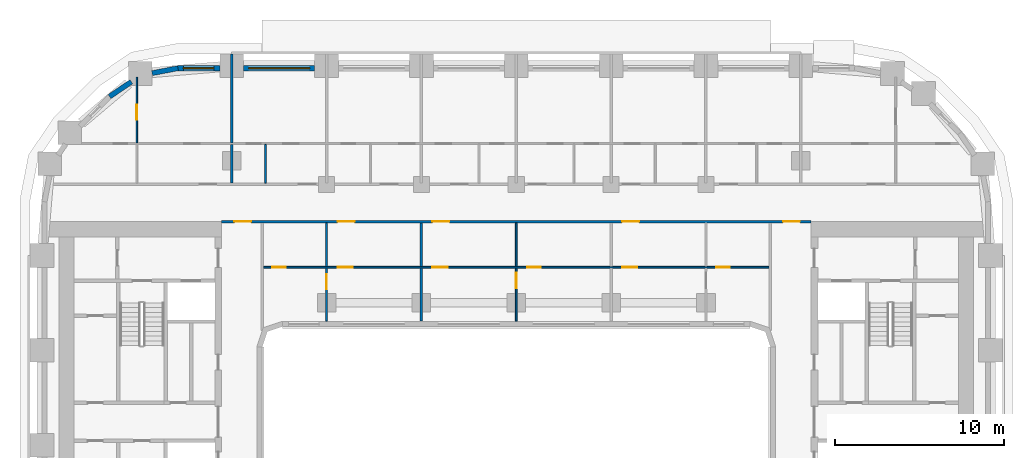
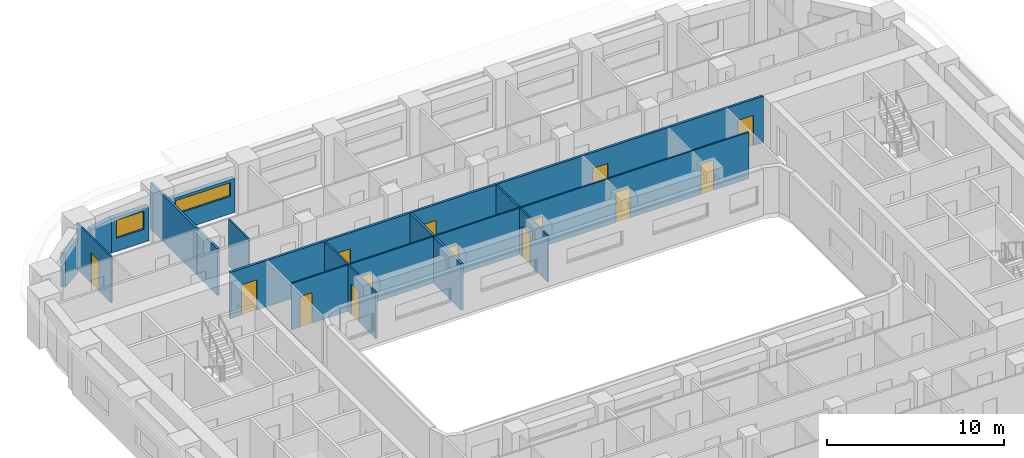
# One storey, part 8 of 22: 16 walls, 14 doors, 2 windows, 16 openings.
"""IFC4 building model written with IfcOpenShell, lengths in metres."""

from ifc_helpers import new_model, si_unit, direction, frame, frame_2d, origin, place, context, subcontext, project, spatial, rectangle, extrude, material, layer, layer_set, type_object, element, fill, save


model = new_model("IFC4")

# Units and contexts
model_context = context("Model", 3, precision=1e-05, world=origin(), true_north=direction((0.0, 1.0)))
body_context = subcontext(model_context, "Body", "Model", "MODEL_VIEW")
ifc_project = project(units=[si_unit("LENGTHUNIT", "METRE"), si_unit("AREAUNIT", "SQUARE_METRE"), si_unit("VOLUMEUNIT", "CUBIC_METRE"), si_unit("PLANEANGLEUNIT", "RADIAN"), si_unit("MASSUNIT", "GRAM", prefix="KILO")], contexts=[model_context])

# Site, building, storey
site_placement = place(None, origin())
site = spatial("IfcSite", under=ifc_project, at=site_placement, CompositionType="ELEMENT")
building_placement = place(site_placement, origin())
building = spatial("IfcBuilding", under=site, at=building_placement, Name="Kiln Ring Residences", CompositionType="ELEMENT")
storey_placement = place(building_placement, frame((0.0, 0.0, 62.0)))
storey = spatial("IfcBuildingStorey", under=building, at=storey_placement, Name="L15", CompositionType="ELEMENT", Elevation=62.0)

# Wall, opening, window
ifc_material_1 = material(Name="Brick masonry, dark clay brick", Category="masonry")
ifc_layer_1 = layer(ifc_material_1, 0.300048828125)
ifc_layer_set_1 = layer_set([ifc_layer_1], Name="EW-300 BRICK WALL")
wall_type_1 = type_object("IfcWallType", Name="EW-300 BRICK WALL", PredefinedType="SOLIDWALL", material=ifc_layer_set_1)
wall_1_placement = place(storey_placement, frame((-11.89990234375, 22.25, 0.0), z_axis=(0.0, 0.0, 1.0), x_axis=(-1.0, 0.0, 0.0)))
wall_1 = element("IfcWall", 1, at=wall_1_placement, inside=storey, type_object=wall_type_1, Name="Facade wall L15 34", PredefinedType="SOLIDWALL", context=body_context, shape_type="SweptSolid", body=[
    extrude(rectangle(XDim=4.2001953125, YDim=0.300048828125, at=frame_2d((2.10009765625, 0.0))), origin(), (0.0, 0.0, 1.0), 2.35009765625),
])
opening_1_placement = place(wall_1_placement, frame((0.300048828125, 0.0, 1.199951171875)))
opening_1 = element("IfcOpeningElement", 2, at=opening_1_placement, cuts=wall_1, Name="Opening W4", PredefinedType="OPENING", context=body_context, shape_type="SweptSolid", body=[
    extrude(rectangle(XDim=3.60009765625, YDim=0.949951171875, at=frame_2d((1.800048828125, 0.47509765625))), frame((0.0, 0.159912109375, 0.0), z_axis=(0.0, -1.0, 0.0), x_axis=(1.0, 0.0, 0.0)), (0.0, 0.0, 1.0), 0.320068359375),
])
ifc_material_2 = material(Name="Aluminium frame with double glazing", Category="aluminium")
window_type_1 = type_object("IfcWindowType", Name="WINDOW 3600 x 950", PartitioningType="SINGLE_PANEL", PredefinedType="WINDOW", material=ifc_material_2)
window_1_placement = place(opening_1_placement, origin())
window_1 = element("IfcWindow", 3, at=window_1_placement, inside=storey, type_object=window_type_1, Name="Window L15 19", OverallHeight=0.949951171875, OverallWidth=3.60009765625, PartitioningType="SINGLE_PANEL", PredefinedType="WINDOW", context=body_context, shape_type="SweptSolid", body=[
    extrude(rectangle(XDim=3.60009765625, YDim=0.949951171875, at=frame_2d((1.800048828125, 0.47509765625))), frame((0.0, 0.030029296875, 0.0), z_axis=(0.0, -1.0, 0.0), x_axis=(1.0, 0.0, 0.0)), (0.0, 0.0, 1.0), 0.06005859375),
])
fill(opening_1, window_1)

wall_2_placement = place(storey_placement, frame((-17.5, 22.25, 0.0), z_axis=(0.0, 0.0, 1.0), x_axis=(-1.0, 0.0, 0.0)))
wall_2 = element("IfcWall", 4, at=wall_2_placement, inside=storey, type_object=wall_type_1, Name="Facade wall L15 35", PredefinedType="SOLIDWALL", context=body_context, shape_type="SweptSolid", body=[
    extrude(rectangle(XDim=2.5, YDim=0.300048828125, at=frame_2d((1.25, 0.0))), origin(), (0.0, 0.0, 1.0), 2.35009765625),
])
opening_2_placement = place(wall_2_placement, frame((0.35009765625, 0.0, 0.89990234375)))
opening_2 = element("IfcOpeningElement", 5, at=opening_2_placement, cuts=wall_2, Name="Opening W2", PredefinedType="OPENING", context=body_context, shape_type="SweptSolid", body=[
    extrude(rectangle(XDim=1.800048828125, YDim=1.25, at=frame_2d((0.89990234375, 0.625))), frame((0.0, 0.159912109375, 0.0), z_axis=(0.0, -1.0, 0.0), x_axis=(1.0, 0.0, 0.0)), (0.0, 0.0, 1.0), 0.320068359375),
])
ifc_material_3 = material(Name="Aluminium frame with double glazing", Category="aluminium")
window_type_2 = type_object("IfcWindowType", Name="WINDOW 1800 x 1250", PartitioningType="SINGLE_PANEL", PredefinedType="WINDOW", material=ifc_material_3)
window_2_placement = place(opening_2_placement, origin())
window_2 = element("IfcWindow", 6, at=window_2_placement, inside=storey, type_object=window_type_2, Name="Window L15 20", OverallHeight=1.25, OverallWidth=1.800048828125, PartitioningType="SINGLE_PANEL", PredefinedType="WINDOW", context=body_context, shape_type="SweptSolid", body=[
    extrude(rectangle(XDim=1.800048828125, YDim=1.25, at=frame_2d((0.89990234375, 0.625))), frame((0.0, 0.030029296875, 0.0), z_axis=(0.0, -1.0, 0.0), x_axis=(1.0, 0.0, 0.0)), (0.0, 0.0, 1.0), 0.06005859375),
])
fill(opening_2, window_2)

# Walls
wall_3_placement = place(storey_placement, frame((-19.971923828125, 22.252685546875, 0.0), z_axis=(0.0, 0.0, 1.0), x_axis=(-0.982297345734, -0.187328386968, 0.0)))
element("IfcWall", 7, at=wall_3_placement, inside=storey, type_object=wall_type_1, Name="Facade wall L15 36", PredefinedType="SOLIDWALL", context=body_context, shape_type="SweptSolid", body=[
    extrude(rectangle(XDim=1.55615234375, YDim=0.300048828125, at=frame_2d((0.778076171875, 0.0))), origin(), (0.0, 0.0, 1.0), 2.35009765625),
])
wall_4_placement = place(storey_placement, frame((-22.725830078125, 21.45361328125, 0.0), z_axis=(0.0, 0.0, 1.0), x_axis=(-0.827019875346, -0.562172683241, 0.0)))
element("IfcWall", 8, at=wall_4_placement, inside=storey, type_object=wall_type_1, Name="Facade wall L15 37", PredefinedType="SOLIDWALL", context=body_context, shape_type="SweptSolid", body=[
    extrude(rectangle(XDim=1.555908203125, YDim=0.300048828125, at=frame_2d((0.77783203125, 0.0))), origin(), (0.0, 0.0, 1.0), 2.35009765625),
])

# Wall, openings, doors
ifc_material_4 = material(Name="Gypsum board on steel studs", Category="steel")
ifc_layer_2 = layer(ifc_material_4, 0.10009765625)
ifc_layer_set_2 = layer_set([ifc_layer_2], Name="PARTITION-100")
wall_type_2 = type_object("IfcWallType", Name="PARTITION-100", PredefinedType="PARTITIONING", material=ifc_layer_set_2)
wall_5_placement = place(storey_placement, frame((-14.925048828125, 10.5, 0.0), z_axis=(0.0, 0.0, 1.0), x_axis=(1.0, 0.0, 0.0)))
wall_5 = element("IfcWall", 9, at=wall_5_placement, inside=storey, type_object=wall_type_2, Name="Partition 004", PredefinedType="PARTITIONING", context=body_context, shape_type="SweptSolid", body=[
    extrude(rectangle(XDim=29.85009765625, YDim=0.10009765625, at=frame_2d((14.925048828125, 0.0))), origin(), (0.0, 0.0, 1.0), 3.199951171875),
])
opening_3_placement = place(wall_5_placement, frame((0.52490234375, 0.0, 0.0)))
opening_3 = element("IfcOpeningElement", 10, at=opening_3_placement, cuts=wall_5, Name="Opening L15-D006", PredefinedType="OPENING", context=body_context, shape_type="SweptSolid", body=[
    extrude(rectangle(XDim=0.800048828125, YDim=2.10009765625, at=frame_2d((0.39990234375, 1.050048828125))), frame((0.0, 0.06005859375, 0.0), z_axis=(0.0, -1.0, 0.0), x_axis=(1.0, 0.0, 0.0)), (0.0, 0.0, 1.0), 0.1201171875),
])
opening_4_placement = place(wall_5_placement, frame((4.375, 0.0, 0.0)))
opening_4 = element("IfcOpeningElement", 11, at=opening_4_placement, cuts=wall_5, Name="Opening L15-D007", PredefinedType="OPENING", context=body_context, shape_type="SweptSolid", body=[
    extrude(rectangle(XDim=0.89990234375, YDim=2.10009765625, at=frame_2d((0.449951171875, 1.050048828125))), frame((0.0, 0.06005859375, 0.0), z_axis=(0.0, -1.0, 0.0), x_axis=(1.0, 0.0, 0.0)), (0.0, 0.0, 1.0), 0.1201171875),
])
opening_5_placement = place(wall_5_placement, frame((15.574951171875, 0.0, 0.0)))
opening_5 = element("IfcOpeningElement", 12, at=opening_5_placement, cuts=wall_5, Name="Opening L15-D010", PredefinedType="OPENING", context=body_context, shape_type="SweptSolid", body=[
    extrude(rectangle(XDim=0.800048828125, YDim=2.10009765625, at=frame_2d((0.39990234375, 1.050048828125))), frame((0.0, 0.06005859375, 0.0), z_axis=(0.0, -1.0, 0.0), x_axis=(1.0, 0.0, 0.0)), (0.0, 0.0, 1.0), 0.1201171875),
])
opening_6_placement = place(wall_5_placement, frame((9.97509765625, 0.0, 0.0)))
opening_6 = element("IfcOpeningElement", 13, at=opening_6_placement, cuts=wall_5, Name="Opening L15-D011", PredefinedType="OPENING", context=body_context, shape_type="SweptSolid", body=[
    extrude(rectangle(XDim=0.89990234375, YDim=2.10009765625, at=frame_2d((0.449951171875, 1.050048828125))), frame((0.0, 0.06005859375, 0.0), z_axis=(0.0, -1.0, 0.0), x_axis=(1.0, 0.0, 0.0)), (0.0, 0.0, 1.0), 0.1201171875),
])
opening_7_placement = place(wall_5_placement, frame((26.72509765625, 0.0, 0.0)))
opening_7 = element("IfcOpeningElement", 14, at=opening_7_placement, cuts=wall_5, Name="Opening L15-D014", PredefinedType="OPENING", context=body_context, shape_type="SweptSolid", body=[
    extrude(rectangle(XDim=0.800048828125, YDim=2.10009765625, at=frame_2d((0.39990234375, 1.050048828125))), frame((0.0, 0.06005859375, 0.0), z_axis=(0.0, -1.0, 0.0), x_axis=(1.0, 0.0, 0.0)), (0.0, 0.0, 1.0), 0.1201171875),
])
opening_8_placement = place(wall_5_placement, frame((21.175048828125, 0.0, 0.0)))
opening_8 = element("IfcOpeningElement", 15, at=opening_8_placement, cuts=wall_5, Name="Opening L15-D015", PredefinedType="OPENING", context=body_context, shape_type="SweptSolid", body=[
    extrude(rectangle(XDim=0.89990234375, YDim=2.10009765625, at=frame_2d((0.449951171875, 1.050048828125))), frame((0.0, 0.06005859375, 0.0), z_axis=(0.0, -1.0, 0.0), x_axis=(1.0, 0.0, 0.0)), (0.0, 0.0, 1.0), 0.1201171875),
])
ifc_material_5 = material(Name="Timber door leaf", Category="wood")
door_type_1 = type_object("IfcDoorType", Name="FLAT-DOOR-800-PL", OperationType="SINGLE_SWING_LEFT", PredefinedType="DOOR", material=ifc_material_5)
door_1_placement = place(opening_3_placement, origin())
door_1 = element("IfcDoor", 16, at=door_1_placement, inside=storey, type_object=door_type_1, Name="Door L15-D006", OperationType="SINGLE_SWING_RIGHT", OverallHeight=2.10009765625, OverallWidth=0.800048828125, PredefinedType="DOOR", context=body_context, shape_type="SweptSolid", body=[
    extrude(rectangle(XDim=0.800048828125, YDim=2.10009765625, at=frame_2d((0.39990234375, 1.050048828125))), frame((0.0, 0.02490234375, 0.0), z_axis=(0.0, -1.0, 0.0), x_axis=(1.0, 0.0, 0.0)), (0.0, 0.0, 1.0), 0.050048828125),
])
fill(opening_3, door_1)
door_2_placement = place(opening_5_placement, origin())
door_2 = element("IfcDoor", 17, at=door_2_placement, inside=storey, type_object=door_type_1, Name="Door L15-D010", OperationType="SINGLE_SWING_RIGHT", OverallHeight=2.10009765625, OverallWidth=0.800048828125, PredefinedType="DOOR", context=body_context, shape_type="SweptSolid", body=[
    extrude(rectangle(XDim=0.800048828125, YDim=2.10009765625, at=frame_2d((0.39990234375, 1.050048828125))), frame((0.0, 0.02490234375, 0.0), z_axis=(0.0, -1.0, 0.0), x_axis=(1.0, 0.0, 0.0)), (0.0, 0.0, 1.0), 0.050048828125),
])
fill(opening_5, door_2)
door_3_placement = place(opening_7_placement, origin())
door_3 = element("IfcDoor", 18, at=door_3_placement, inside=storey, type_object=door_type_1, Name="Door L15-D014", OperationType="SINGLE_SWING_RIGHT", OverallHeight=2.10009765625, OverallWidth=0.800048828125, PredefinedType="DOOR", context=body_context, shape_type="SweptSolid", body=[
    extrude(rectangle(XDim=0.800048828125, YDim=2.10009765625, at=frame_2d((0.39990234375, 1.050048828125))), frame((0.0, 0.02490234375, 0.0), z_axis=(0.0, -1.0, 0.0), x_axis=(1.0, 0.0, 0.0)), (0.0, 0.0, 1.0), 0.050048828125),
])
fill(opening_7, door_3)
ifc_material_6 = material(Name="Timber door leaf", Category="wood")
door_type_2 = type_object("IfcDoorType", Name="FLAT-DOOR-900-PL", OperationType="SINGLE_SWING_LEFT", PredefinedType="DOOR", material=ifc_material_6)
door_4_placement = place(opening_4_placement, origin())
door_4 = element("IfcDoor", 19, at=door_4_placement, inside=storey, type_object=door_type_2, Name="Door L15-D007", OperationType="SINGLE_SWING_LEFT", OverallHeight=2.10009765625, OverallWidth=0.89990234375, PredefinedType="DOOR", context=body_context, shape_type="SweptSolid", body=[
    extrude(rectangle(XDim=0.89990234375, YDim=2.10009765625, at=frame_2d((0.449951171875, 1.050048828125))), frame((0.0, 0.02490234375, 0.0), z_axis=(0.0, -1.0, 0.0), x_axis=(1.0, 0.0, 0.0)), (0.0, 0.0, 1.0), 0.050048828125),
])
fill(opening_4, door_4)
door_5_placement = place(opening_6_placement, origin())
door_5 = element("IfcDoor", 20, at=door_5_placement, inside=storey, type_object=door_type_2, Name="Door L15-D011", OperationType="SINGLE_SWING_LEFT", OverallHeight=2.10009765625, OverallWidth=0.89990234375, PredefinedType="DOOR", context=body_context, shape_type="SweptSolid", body=[
    extrude(rectangle(XDim=0.89990234375, YDim=2.10009765625, at=frame_2d((0.449951171875, 1.050048828125))), frame((0.0, 0.02490234375, 0.0), z_axis=(0.0, -1.0, 0.0), x_axis=(1.0, 0.0, 0.0)), (0.0, 0.0, 1.0), 0.050048828125),
])
fill(opening_6, door_5)
door_6_placement = place(opening_8_placement, origin())
door_6 = element("IfcDoor", 21, at=door_6_placement, inside=storey, type_object=door_type_2, Name="Door L15-D015", OperationType="SINGLE_SWING_LEFT", OverallHeight=2.10009765625, OverallWidth=0.89990234375, PredefinedType="DOOR", context=body_context, shape_type="SweptSolid", body=[
    extrude(rectangle(XDim=0.89990234375, YDim=2.10009765625, at=frame_2d((0.449951171875, 1.050048828125))), frame((0.0, 0.02490234375, 0.0), z_axis=(0.0, -1.0, 0.0), x_axis=(1.0, 0.0, 0.0)), (0.0, 0.0, 1.0), 0.050048828125),
])
fill(opening_8, door_6)

# Wall, opening, door
wall_6_placement = place(storey_placement, frame((-22.39990234375, 17.85009765625, 0.0), z_axis=(0.0, 0.0, 1.0), x_axis=(0.0, 1.0, 0.0)))
wall_6 = element("IfcWall", 22, at=wall_6_placement, inside=storey, type_object=wall_type_2, Name="Partition 011", PredefinedType="PARTITIONING", context=body_context, shape_type="SweptSolid", body=[
    extrude(rectangle(XDim=3.869873046875, YDim=0.10009765625, at=frame_2d((1.93505859375, 0.0))), origin(), (0.0, 0.0, 1.0), 3.199951171875),
])
opening_9_placement = place(wall_6_placement, frame((1.347900390625, 0.0, 0.0)))
opening_9 = element("IfcOpeningElement", 23, at=opening_9_placement, cuts=wall_6, Name="Opening L15-D020", PredefinedType="OPENING", context=body_context, shape_type="SweptSolid", body=[
    extrude(rectangle(XDim=0.89990234375, YDim=2.10009765625, at=frame_2d((0.449951171875, 1.050048828125))), frame((0.0, 0.06005859375, 0.0), z_axis=(0.0, -1.0, 0.0), x_axis=(1.0, 0.0, 0.0)), (0.0, 0.0, 1.0), 0.1201171875),
])
door_7_placement = place(opening_9_placement, origin())
door_7 = element("IfcDoor", 24, at=door_7_placement, inside=storey, type_object=door_type_2, Name="Door L15-D020", OperationType="SINGLE_SWING_RIGHT", OverallHeight=2.10009765625, OverallWidth=0.89990234375, PredefinedType="DOOR", context=body_context, shape_type="SweptSolid", body=[
    extrude(rectangle(XDim=0.89990234375, YDim=2.10009765625, at=frame_2d((0.449951171875, 1.050048828125))), frame((0.0, 0.02490234375, 0.0), z_axis=(0.0, -1.0, 0.0), x_axis=(1.0, 0.0, 0.0)), (0.0, 0.0, 1.0), 0.050048828125),
])
fill(opening_9, door_7)

# Wall
wall_7_placement = place(storey_placement, frame((-14.800048828125, 15.47509765625, 0.0), z_axis=(0.0, 0.0, 1.0), x_axis=(0.0, 1.0, 0.0)))
element("IfcWall", 25, at=wall_7_placement, inside=storey, type_object=wall_type_2, Name="Partition 018", PredefinedType="PARTITIONING", context=body_context, shape_type="SweptSolid", body=[
    extrude(rectangle(XDim=2.27490234375, YDim=0.10009765625, at=frame_2d((1.137451171875, 0.0))), origin(), (0.0, 0.0, 1.0), 3.199951171875),
])

# Wall, opening, door
wall_8_placement = place(storey_placement, frame((-11.199951171875, 7.320068359375, 0.0), z_axis=(0.0, 0.0, 1.0), x_axis=(0.0, 1.0, 0.0)))
wall_8 = element("IfcWall", 26, at=wall_8_placement, inside=storey, type_object=wall_type_2, Name="Partition 022", PredefinedType="PARTITIONING", context=body_context, shape_type="SweptSolid", body=[
    extrude(rectangle(XDim=3.1298828125, YDim=0.10009765625, at=frame_2d((1.56494140625, 0.0))), origin(), (0.0, 0.0, 1.0), 3.199951171875),
])
opening_10_placement = place(wall_8_placement, frame((1.8798828125, 0.0, 0.0)))
opening_10 = element("IfcOpeningElement", 27, at=opening_10_placement, cuts=wall_8, Name="Opening L15-D008", PredefinedType="OPENING", context=body_context, shape_type="SweptSolid", body=[
    extrude(rectangle(XDim=0.89990234375, YDim=2.10009765625, at=frame_2d((0.449951171875, 1.050048828125))), frame((0.0, 0.06005859375, 0.0), z_axis=(0.0, -1.0, 0.0), x_axis=(1.0, 0.0, 0.0)), (0.0, 0.0, 1.0), 0.1201171875),
])
door_8_placement = place(opening_10_placement, origin())
door_8 = element("IfcDoor", 28, at=door_8_placement, inside=storey, type_object=door_type_2, Name="Door L15-D008", OperationType="SINGLE_SWING_LEFT", OverallHeight=2.10009765625, OverallWidth=0.89990234375, PredefinedType="DOOR", context=body_context, shape_type="SweptSolid", body=[
    extrude(rectangle(XDim=0.89990234375, YDim=2.10009765625, at=frame_2d((0.449951171875, 1.050048828125))), frame((0.0, 0.02490234375, 0.0), z_axis=(0.0, -1.0, 0.0), x_axis=(1.0, 0.0, 0.0)), (0.0, 0.0, 1.0), 0.050048828125),
])
fill(opening_10, door_8)

# Wall
wall_9_placement = place(storey_placement, frame((-11.199951171875, 10.550048828125, 0.0), z_axis=(0.0, 0.0, 1.0), x_axis=(0.0, 1.0, 0.0)))
element("IfcWall", 29, at=wall_9_placement, inside=storey, type_object=wall_type_2, Name="Partition 023", PredefinedType="PARTITIONING", context=body_context, shape_type="SweptSolid", body=[
    extrude(rectangle(XDim=2.574951171875, YDim=0.10009765625, at=frame_2d((1.28759765625, 0.0))), origin(), (0.0, 0.0, 1.0), 3.199951171875),
])

# Wall, opening, door
wall_10_placement = place(storey_placement, frame((0.0, 7.320068359375, 0.0), z_axis=(0.0, 0.0, 1.0), x_axis=(0.0, 1.0, 0.0)))
wall_10 = element("IfcWall", 30, at=wall_10_placement, inside=storey, type_object=wall_type_2, Name="Partition 041", PredefinedType="PARTITIONING", context=body_context, shape_type="SweptSolid", body=[
    extrude(rectangle(XDim=3.1298828125, YDim=0.10009765625, at=frame_2d((1.56494140625, 0.0))), origin(), (0.0, 0.0, 1.0), 3.199951171875),
])
opening_11_placement = place(wall_10_placement, frame((1.949951171875, 0.0, 0.0)))
opening_11 = element("IfcOpeningElement", 31, at=opening_11_placement, cuts=wall_10, Name="Opening L15-D012", PredefinedType="OPENING", context=body_context, shape_type="SweptSolid", body=[
    extrude(rectangle(XDim=0.89990234375, YDim=2.10009765625, at=frame_2d((0.449951171875, 1.050048828125))), frame((0.0, 0.06005859375, 0.0), z_axis=(0.0, -1.0, 0.0), x_axis=(1.0, 0.0, 0.0)), (0.0, 0.0, 1.0), 0.1201171875),
])
door_9_placement = place(opening_11_placement, origin())
door_9 = element("IfcDoor", 32, at=door_9_placement, inside=storey, type_object=door_type_2, Name="Door L15-D012", OperationType="SINGLE_SWING_RIGHT", OverallHeight=2.10009765625, OverallWidth=0.89990234375, PredefinedType="DOOR", context=body_context, shape_type="SweptSolid", body=[
    extrude(rectangle(XDim=0.89990234375, YDim=2.10009765625, at=frame_2d((0.449951171875, 1.050048828125))), frame((0.0, 0.02490234375, 0.0), z_axis=(0.0, -1.0, 0.0), x_axis=(1.0, 0.0, 0.0)), (0.0, 0.0, 1.0), 0.050048828125),
])
fill(opening_11, door_9)

# Wall
wall_11_placement = place(storey_placement, frame((0.0, 10.550048828125, 0.0), z_axis=(0.0, 0.0, 1.0), x_axis=(0.0, 1.0, 0.0)))
element("IfcWall", 33, at=wall_11_placement, inside=storey, type_object=wall_type_2, Name="Partition 042", PredefinedType="PARTITIONING", context=body_context, shape_type="SweptSolid", body=[
    extrude(rectangle(XDim=2.574951171875, YDim=0.10009765625, at=frame_2d((1.28759765625, 0.0))), origin(), (0.0, 0.0, 1.0), 3.199951171875),
])

# Wall, openings, doors
ifc_material_7 = material(Name="Brick masonry partition", Category="masonry")
ifc_layer_3 = layer(ifc_material_7, 0.14990234375)
ifc_layer_set_3 = layer_set([ifc_layer_3], Name="PARTITION-150-ei60")
wall_type_3 = type_object("IfcWallType", Name="PARTITION-150-ei60", PredefinedType="PARTITIONING", material=ifc_layer_set_3)
wall_12_placement = place(storey_placement, frame((-17.39990234375, 13.199951171875, 0.0), z_axis=(0.0, 0.0, 1.0), x_axis=(1.0, 0.0, 0.0)))
wall_12 = element("IfcWall", 34, at=wall_12_placement, inside=storey, type_object=wall_type_3, Name="Partition 005", PredefinedType="PARTITIONING", context=body_context, shape_type="SweptSolid", body=[
    extrude(rectangle(XDim=34.7998046875, YDim=0.14990234375, at=frame_2d((17.39990234375, 0.0))), origin(), (0.0, 0.0, 1.0), 3.199951171875),
])
opening_12_placement = place(wall_12_placement, frame((0.75, 0.0, 0.0)))
opening_12 = element("IfcOpeningElement", 35, at=opening_12_placement, cuts=wall_12, Name="Opening L15-D001", PredefinedType="OPENING", context=body_context, shape_type="SweptSolid", body=[
    extrude(rectangle(XDim=1.0, YDim=2.10009765625, at=frame_2d((0.5, 1.050048828125))), frame((0.0, 0.0849609375, 0.0), z_axis=(0.0, -1.0, 0.0), x_axis=(1.0, 0.0, 0.0)), (0.0, 0.0, 1.0), 0.169921875),
])
opening_13_placement = place(wall_12_placement, frame((33.14990234375, 0.0, 0.0)))
opening_13 = element("IfcOpeningElement", 36, at=opening_13_placement, cuts=wall_12, Name="Opening L15-D002", PredefinedType="OPENING", context=body_context, shape_type="SweptSolid", body=[
    extrude(rectangle(XDim=1.0, YDim=2.10009765625, at=frame_2d((0.5, 1.050048828125))), frame((0.0, 0.0849609375, 0.0), z_axis=(0.0, -1.0, 0.0), x_axis=(1.0, 0.0, 0.0)), (0.0, 0.0, 1.0), 0.169921875),
])
opening_14_placement = place(wall_12_placement, frame((6.85009765625, 0.0, 0.0)))
opening_14 = element("IfcOpeningElement", 37, at=opening_14_placement, cuts=wall_12, Name="Opening L15-D005", PredefinedType="OPENING", context=body_context, shape_type="SweptSolid", body=[
    extrude(rectangle(XDim=1.0, YDim=2.10009765625, at=frame_2d((0.5, 1.050048828125))), frame((0.0, 0.0849609375, 0.0), z_axis=(0.0, -1.0, 0.0), x_axis=(1.0, 0.0, 0.0)), (0.0, 0.0, 1.0), 0.169921875),
])
opening_15_placement = place(wall_12_placement, frame((12.449951171875, 0.0, 0.0)))
opening_15 = element("IfcOpeningElement", 38, at=opening_15_placement, cuts=wall_12, Name="Opening L15-D009", PredefinedType="OPENING", context=body_context, shape_type="SweptSolid", body=[
    extrude(rectangle(XDim=1.0, YDim=2.10009765625, at=frame_2d((0.5, 1.050048828125))), frame((0.0, 0.0849609375, 0.0), z_axis=(0.0, -1.0, 0.0), x_axis=(1.0, 0.0, 0.0)), (0.0, 0.0, 1.0), 0.169921875),
])
opening_16_placement = place(wall_12_placement, frame((23.64990234375, 0.0, 0.0)))
opening_16 = element("IfcOpeningElement", 39, at=opening_16_placement, cuts=wall_12, Name="Opening L15-D013", PredefinedType="OPENING", context=body_context, shape_type="SweptSolid", body=[
    extrude(rectangle(XDim=1.0, YDim=2.10009765625, at=frame_2d((0.5, 1.050048828125))), frame((0.0, 0.0849609375, 0.0), z_axis=(0.0, -1.0, 0.0), x_axis=(1.0, 0.0, 0.0)), (0.0, 0.0, 1.0), 0.169921875),
])
ifc_material_8 = material(Name="Steel faced fire door leaf", Category="steel")
door_type_3 = type_object("IfcDoorType", Name="FLAT-DOOR-1000-FR", OperationType="SINGLE_SWING_LEFT", PredefinedType="DOOR", material=ifc_material_8)
door_10_placement = place(opening_12_placement, origin())
door_10 = element("IfcDoor", 40, at=door_10_placement, inside=storey, type_object=door_type_3, Name="Door L15-D001", OperationType="SINGLE_SWING_RIGHT", OverallHeight=2.10009765625, OverallWidth=1.0, PredefinedType="DOOR", context=body_context, shape_type="SweptSolid", body=[
    extrude(rectangle(XDim=1.0, YDim=2.10009765625, at=frame_2d((0.5, 1.050048828125))), frame((0.0, 0.02490234375, 0.0), z_axis=(0.0, -1.0, 0.0), x_axis=(1.0, 0.0, 0.0)), (0.0, 0.0, 1.0), 0.050048828125),
])
fill(opening_12, door_10)
door_11_placement = place(opening_13_placement, origin())
door_11 = element("IfcDoor", 41, at=door_11_placement, inside=storey, type_object=door_type_3, Name="Door L15-D002", OperationType="SINGLE_SWING_LEFT", OverallHeight=2.10009765625, OverallWidth=1.0, PredefinedType="DOOR", context=body_context, shape_type="SweptSolid", body=[
    extrude(rectangle(XDim=1.0, YDim=2.10009765625, at=frame_2d((0.5, 1.050048828125))), frame((0.0, 0.02490234375, 0.0), z_axis=(0.0, -1.0, 0.0), x_axis=(1.0, 0.0, 0.0)), (0.0, 0.0, 1.0), 0.050048828125),
])
fill(opening_13, door_11)
door_12_placement = place(opening_14_placement, origin())
door_12 = element("IfcDoor", 42, at=door_12_placement, inside=storey, type_object=door_type_3, Name="Door L15-D005", OperationType="SINGLE_SWING_LEFT", OverallHeight=2.10009765625, OverallWidth=1.0, PredefinedType="DOOR", context=body_context, shape_type="SweptSolid", body=[
    extrude(rectangle(XDim=1.0, YDim=2.10009765625, at=frame_2d((0.5, 1.050048828125))), frame((0.0, 0.02490234375, 0.0), z_axis=(0.0, -1.0, 0.0), x_axis=(1.0, 0.0, 0.0)), (0.0, 0.0, 1.0), 0.050048828125),
])
fill(opening_14, door_12)
door_13_placement = place(opening_15_placement, origin())
door_13 = element("IfcDoor", 43, at=door_13_placement, inside=storey, type_object=door_type_3, Name="Door L15-D009", OperationType="SINGLE_SWING_LEFT", OverallHeight=2.10009765625, OverallWidth=1.0, PredefinedType="DOOR", context=body_context, shape_type="SweptSolid", body=[
    extrude(rectangle(XDim=1.0, YDim=2.10009765625, at=frame_2d((0.5, 1.050048828125))), frame((0.0, 0.02490234375, 0.0), z_axis=(0.0, -1.0, 0.0), x_axis=(1.0, 0.0, 0.0)), (0.0, 0.0, 1.0), 0.050048828125),
])
fill(opening_15, door_13)
door_14_placement = place(opening_16_placement, origin())
door_14 = element("IfcDoor", 44, at=door_14_placement, inside=storey, type_object=door_type_3, Name="Door L15-D013", OperationType="SINGLE_SWING_LEFT", OverallHeight=2.10009765625, OverallWidth=1.0, PredefinedType="DOOR", context=body_context, shape_type="SweptSolid", body=[
    extrude(rectangle(XDim=1.0, YDim=2.10009765625, at=frame_2d((0.5, 1.050048828125))), frame((0.0, 0.02490234375, 0.0), z_axis=(0.0, -1.0, 0.0), x_axis=(1.0, 0.0, 0.0)), (0.0, 0.0, 1.0), 0.050048828125),
])
fill(opening_16, door_14)

# Walls
wall_13_placement = place(storey_placement, frame((-16.800048828125, 15.47509765625, 0.0), z_axis=(0.0, 0.0, 1.0), x_axis=(0.0, 1.0, 0.0)))
element("IfcWall", 45, at=wall_13_placement, inside=storey, type_object=wall_type_3, Name="Partition 014", PredefinedType="PARTITIONING", context=body_context, shape_type="SweptSolid", body=[
    extrude(rectangle(XDim=2.27490234375, YDim=0.14990234375, at=frame_2d((1.137451171875, 0.0))), origin(), (0.0, 0.0, 1.0), 3.199951171875),
])
wall_14_placement = place(storey_placement, frame((-16.800048828125, 17.85009765625, 0.0), z_axis=(0.0, 0.0, 1.0), x_axis=(0.0, 1.0, 0.0)))
element("IfcWall", 46, at=wall_14_placement, inside=storey, type_object=wall_type_3, Name="Partition 015", PredefinedType="PARTITIONING", context=body_context, shape_type="SweptSolid", body=[
    extrude(rectangle(XDim=5.22998046875, YDim=0.14990234375, at=frame_2d((2.614990234375, 0.0))), origin(), (0.0, 0.0, 1.0), 3.199951171875),
])
wall_15_placement = place(storey_placement, frame((-5.60009765625, 7.320068359375, 0.0), z_axis=(0.0, 0.0, 1.0), x_axis=(0.0, 1.0, 0.0)))
element("IfcWall", 47, at=wall_15_placement, inside=storey, type_object=wall_type_3, Name="Partition 034", PredefinedType="PARTITIONING", context=body_context, shape_type="SweptSolid", body=[
    extrude(rectangle(XDim=3.1298828125, YDim=0.14990234375, at=frame_2d((1.56494140625, 0.0))), origin(), (0.0, 0.0, 1.0), 3.199951171875),
])
wall_16_placement = place(storey_placement, frame((-5.60009765625, 10.550048828125, 0.0), z_axis=(0.0, 0.0, 1.0), x_axis=(0.0, 1.0, 0.0)))
element("IfcWall", 48, at=wall_16_placement, inside=storey, type_object=wall_type_3, Name="Partition 035", PredefinedType="PARTITIONING", context=body_context, shape_type="SweptSolid", body=[
    extrude(rectangle(XDim=2.574951171875, YDim=0.14990234375, at=frame_2d((1.28759765625, 0.0))), origin(), (0.0, 0.0, 1.0), 3.199951171875),
])

save(model, "model.ifc")
